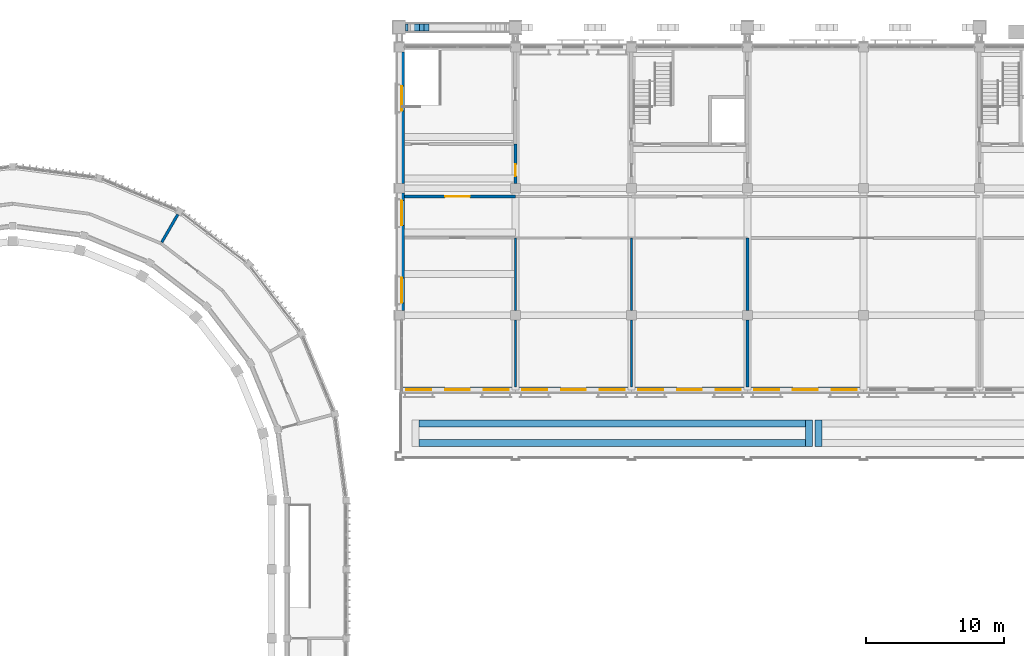
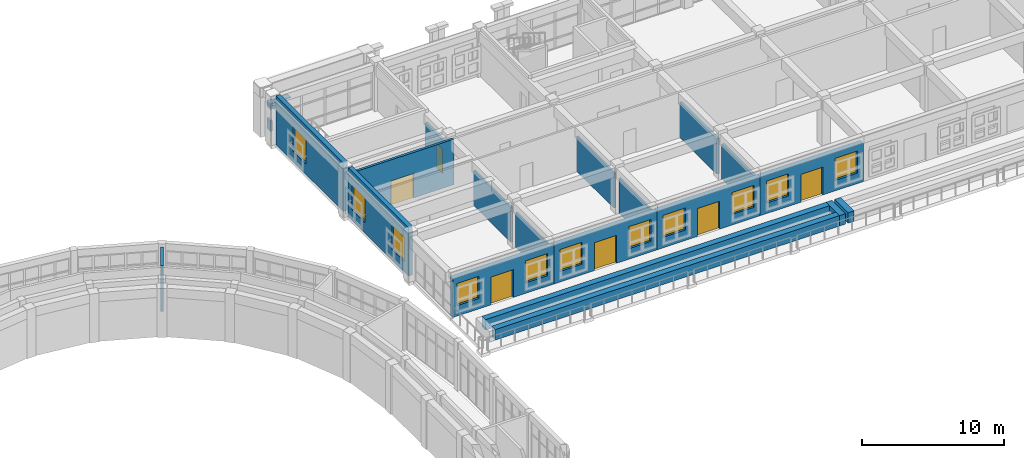
# One storey, part 63 of 99: 23 walls, 11 windows, 6 doors, 17 openings.
"""IFC4 building model written with IfcOpenShell, lengths in metres."""

from ifc_helpers import new_model, si_unit, direction, frame, frame_2d, origin, place, context, subcontext, project, spatial, rectangle, extrude, material, layer, layer_set, type_object, element, fill, save


model = new_model("IFC4")

# Units and contexts
model_context = context("Model", 3, precision=1e-05, world=origin(), true_north=direction((0.0, 1.0)))
body_context = subcontext(model_context, "Body", "Model", "MODEL_VIEW")
ifc_project = project(units=[si_unit("LENGTHUNIT", "METRE"), si_unit("AREAUNIT", "SQUARE_METRE"), si_unit("VOLUMEUNIT", "CUBIC_METRE"), si_unit("PLANEANGLEUNIT", "RADIAN"), si_unit("MASSUNIT", "GRAM", prefix="KILO")], contexts=[model_context])

# Site, building, storey
site_placement = place(None, origin())
site = spatial("IfcSite", under=ifc_project, at=site_placement, CompositionType="ELEMENT")
building_placement = place(site_placement, origin())
building = spatial("IfcBuilding", under=site, at=building_placement, Name="Wasatch Bagh Community Centre", CompositionType="ELEMENT")
storey_placement = place(building_placement, frame((0.0, 0.0, 4.199951171875)))
storey = spatial("IfcBuildingStorey", under=building, at=storey_placement, Name="L01", CompositionType="ELEMENT", Elevation=4.199951171875)

# Walls
ifc_material_1 = material(Name="Gypsum board partition on steel studs", Category="steel")
ifc_layer_1 = layer(ifc_material_1, 0.199951171875)
ifc_layer_set_1 = layer_set([ifc_layer_1], Name="Gypsum board partition on steel studs")
wall_type_1 = type_object("IfcWallType", Name="Drum partition 200", PredefinedType="PARTITIONING", material=ifc_layer_set_1)
wall_1_placement = place(storey_placement, frame((46.7880859375, 83.685302734375, 0.0), z_axis=(0.0, 0.0, 1.0), x_axis=(0.499946767237, 0.866056135553, 0.0)))
element("IfcWall", 1, at=wall_1_placement, inside=storey, type_object=wall_type_1, Name="Partition 22", PredefinedType="PARTITIONING", context=body_context, shape_type="SweptSolid", body=[
    extrude(rectangle(XDim=2.323974609375, YDim=0.199951171875, at=frame_2d((1.162109375, 0.0))), origin(), (0.0, 0.0, 1.0), 3.949951171875),
])
ifc_material_2 = material(Name="Double stud acoustic partition", Category="Gypsum")
ifc_layer_2 = layer(ifc_material_2, 0.215087890625)
ifc_layer_set_2 = layer_set([ifc_layer_2], Name="Double stud acoustic partition")
wall_type_2 = type_object("IfcWallType", Name="LW acoustic partition 215", PredefinedType="PARTITIONING", material=ifc_layer_set_2)
wall_2_placement = place(storey_placement, frame((89.199951171875, 73.199951171875, 0.0), z_axis=(0.0, 0.0, 1.0), x_axis=(0.0, 1.0, 0.0)))
element("IfcWall", 2, at=wall_2_placement, inside=storey, type_object=wall_type_2, Name="LW.part.L01.017", PredefinedType="PARTITIONING", context=body_context, shape_type="SweptSolid", body=[
    extrude(rectangle(XDim=4.85009765625, YDim=0.215087890625, at=frame_2d((2.425048828125, 0.0))), origin(), (0.0, 0.0, 1.0), 3.02001953125),
])
wall_3_placement = place(storey_placement, frame((89.199951171875, 78.75, 0.0), z_axis=(0.0, 0.0, 1.0), x_axis=(0.0, 1.0, 0.0)))
element("IfcWall", 3, at=wall_3_placement, inside=storey, type_object=wall_type_2, Name="LW.part.L01.018", PredefinedType="PARTITIONING", context=body_context, shape_type="SweptSolid", body=[
    extrude(rectangle(XDim=5.25, YDim=0.215087890625, at=frame_2d((2.625, 0.0))), origin(), (0.0, 0.0, 1.0), 3.02001953125),
])

# Wall, openings, windows
ifc_material_3 = material(Name="Concrete C40", Category="concrete")
ifc_layer_3 = layer(ifc_material_3, 0.35009765625)
ifc_layer_set_3 = layer_set([ifc_layer_3], Name="Concrete C40")
wall_type_3 = type_object("IfcWallType", Name="LW end shear wall 350", PredefinedType="SHEAR", material=ifc_layer_set_3)
wall_4_placement = place(storey_placement, frame((64.175048828125, 78.75, 0.0), z_axis=(0.0, 0.0, 1.0), x_axis=(0.0, 1.0, 0.0)))
wall_4 = element("IfcWall", 4, at=wall_4_placement, inside=storey, type_object=wall_type_3, Name="LW.swall.L01.14", PredefinedType="SHEAR", context=body_context, shape_type="SweptSolid", body=[
    extrude(rectangle(XDim=8.5, YDim=0.35009765625, at=frame_2d((4.25, 0.0))), origin(), (0.0, 0.0, 1.0), 4.199951171875),
])
opening_1_placement = place(wall_4_placement, frame((0.550048828125, 0.0, 0.89990234375)))
opening_1 = element("IfcOpeningElement", 5, at=opening_1_placement, cuts=wall_4, Name="Opening 1L-W025", PredefinedType="OPENING", context=body_context, shape_type="SweptSolid", body=[
    extrude(rectangle(XDim=1.800048828125, YDim=2.10009765625, at=frame_2d((0.89990234375, 1.050048828125))), frame((0.0, 0.18505859375, 0.0), z_axis=(0.0, -1.0, 0.0), x_axis=(1.0, 0.0, 0.0)), (0.0, 0.0, 1.0), 0.3701171875),
])
opening_2_placement = place(wall_4_placement, frame((6.14990234375, 0.0, 0.89990234375)))
opening_2 = element("IfcOpeningElement", 6, at=opening_2_placement, cuts=wall_4, Name="Opening 1L-W026", PredefinedType="OPENING", context=body_context, shape_type="SweptSolid", body=[
    extrude(rectangle(XDim=1.800048828125, YDim=2.10009765625, at=frame_2d((0.89990234375, 1.050048828125))), frame((0.0, 0.18505859375, 0.0), z_axis=(0.0, -1.0, 0.0), x_axis=(1.0, 0.0, 0.0)), (0.0, 0.0, 1.0), 0.3701171875),
])
ifc_material_4 = material(Name="Aluminium framed double glazing", Category="aluminium")
window_type_1 = type_object("IfcWindowType", Name="LW window 1800x2100", PartitioningType="SINGLE_PANEL", PredefinedType="WINDOW", material=ifc_material_4)
window_1_placement = place(opening_1_placement, origin())
window_1 = element("IfcWindow", 7, at=window_1_placement, inside=storey, type_object=window_type_1, Name="Window 1L-W025", OverallHeight=2.10009765625, OverallWidth=1.800048828125, PartitioningType="SINGLE_PANEL", PredefinedType="WINDOW", context=body_context, shape_type="SweptSolid", body=[
    extrude(rectangle(XDim=1.800048828125, YDim=2.10009765625, at=frame_2d((0.89990234375, 1.050048828125))), frame((0.0, 0.030029296875, 0.0), z_axis=(0.0, -1.0, 0.0), x_axis=(1.0, 0.0, 0.0)), (0.0, 0.0, 1.0), 0.06005859375),
])
fill(opening_1, window_1)
window_2_placement = place(opening_2_placement, origin())
window_2 = element("IfcWindow", 8, at=window_2_placement, inside=storey, type_object=window_type_1, Name="Window 1L-W026", OverallHeight=2.10009765625, OverallWidth=1.800048828125, PartitioningType="SINGLE_PANEL", PredefinedType="WINDOW", context=body_context, shape_type="SweptSolid", body=[
    extrude(rectangle(XDim=1.800048828125, YDim=2.10009765625, at=frame_2d((0.89990234375, 1.050048828125))), frame((0.0, 0.030029296875, 0.0), z_axis=(0.0, -1.0, 0.0), x_axis=(1.0, 0.0, 0.0)), (0.0, 0.0, 1.0), 0.06005859375),
])
fill(opening_2, window_2)

# Wall, opening, window
wall_5_placement = place(storey_placement, frame((64.175048828125, 87.949951171875, 0.0), z_axis=(0.0, 0.0, 1.0), x_axis=(0.0, 1.0, 0.0)))
wall_5 = element("IfcWall", 9, at=wall_5_placement, inside=storey, type_object=wall_type_3, Name="LW.swall.L01.15", PredefinedType="SHEAR", context=body_context, shape_type="SweptSolid", body=[
    extrude(rectangle(XDim=9.5, YDim=0.35009765625, at=frame_2d((4.75, 0.0))), origin(), (0.0, 0.0, 1.0), 4.199951171875),
])
opening_3_placement = place(wall_5_placement, frame((5.25, 0.0, 0.89990234375)))
opening_3 = element("IfcOpeningElement", 10, at=opening_3_placement, cuts=wall_5, Name="Opening 1L-W027", PredefinedType="OPENING", context=body_context, shape_type="SweptSolid", body=[
    extrude(rectangle(XDim=1.800048828125, YDim=2.10009765625, at=frame_2d((0.89990234375, 1.050048828125))), frame((0.0, 0.18505859375, 0.0), z_axis=(0.0, -1.0, 0.0), x_axis=(1.0, 0.0, 0.0)), (0.0, 0.0, 1.0), 0.3701171875),
])
window_3_placement = place(opening_3_placement, origin())
window_3 = element("IfcWindow", 11, at=window_3_placement, inside=storey, type_object=window_type_1, Name="Window 1L-W027", OverallHeight=2.10009765625, OverallWidth=1.800048828125, PartitioningType="SINGLE_PANEL", PredefinedType="WINDOW", context=body_context, shape_type="SweptSolid", body=[
    extrude(rectangle(XDim=1.800048828125, YDim=2.10009765625, at=frame_2d((0.89990234375, 1.050048828125))), frame((0.0, 0.030029296875, 0.0), z_axis=(0.0, -1.0, 0.0), x_axis=(1.0, 0.0, 0.0)), (0.0, 0.0, 1.0), 0.06005859375),
])
fill(opening_3, window_3)

# Wall, openings, door, windows
ifc_material_5 = material(Name="Concrete C35", Category="concrete")
ifc_layer_4 = layer(ifc_material_5, 0.39990234375)
ifc_layer_set_4 = layer_set([ifc_layer_4], Name="Concrete C35")
wall_type_4 = type_object("IfcWallType", Name="LW facade wall 400", PredefinedType="SOLIDWALL", material=ifc_layer_set_4)
wall_6_placement = place(storey_placement, frame((64.18505859375, 73.0, 0.0), z_axis=(0.0, 0.0, 1.0), x_axis=(1.0, 0.0, 0.0)))
wall_6 = element("IfcWall", 12, at=wall_6_placement, inside=storey, type_object=wall_type_4, Name="Facade wall", PredefinedType="SOLIDWALL", context=body_context, shape_type="SweptSolid", body=[
    extrude(rectangle(XDim=8.21484375, YDim=0.39990234375, at=frame_2d((4.107421875, 0.0))), origin(), (0.0, 0.0, 1.0), 3.320068359375),
])
opening_4_placement = place(wall_6_placement, frame((3.114990234375, 0.0, 0.0)))
opening_4 = element("IfcOpeningElement", 13, at=opening_4_placement, cuts=wall_6, Name="Opening 1L-01", PredefinedType="OPENING", context=body_context, shape_type="SweptSolid", body=[
    extrude(rectangle(XDim=1.800048828125, YDim=2.39990234375, at=frame_2d((0.89990234375, 1.199951171875))), frame((0.0, 0.2099609375, 0.0), z_axis=(0.0, -1.0, 0.0), x_axis=(1.0, 0.0, 0.0)), (0.0, 0.0, 1.0), 0.419921875),
])
opening_5_placement = place(wall_6_placement, frame((0.31494140625, 0.0, 0.89990234375)))
opening_5 = element("IfcOpeningElement", 14, at=opening_5_placement, cuts=wall_6, Name="Opening 1L-W001", PredefinedType="OPENING", context=body_context, shape_type="SweptSolid", body=[
    extrude(rectangle(XDim=1.800048828125, YDim=1.89990234375, at=frame_2d((0.89990234375, 0.949951171875))), frame((0.0, 0.2099609375, 0.0), z_axis=(0.0, -1.0, 0.0), x_axis=(1.0, 0.0, 0.0)), (0.0, 0.0, 1.0), 0.419921875),
])
opening_6_placement = place(wall_6_placement, frame((5.9150390625, 0.0, 0.89990234375)))
opening_6 = element("IfcOpeningElement", 15, at=opening_6_placement, cuts=wall_6, Name="Opening 1L-W002", PredefinedType="OPENING", context=body_context, shape_type="SweptSolid", body=[
    extrude(rectangle(XDim=1.800048828125, YDim=1.89990234375, at=frame_2d((0.89990234375, 0.949951171875))), frame((0.0, 0.2099609375, 0.0), z_axis=(0.0, -1.0, 0.0), x_axis=(1.0, 0.0, 0.0)), (0.0, 0.0, 1.0), 0.419921875),
])
ifc_material_6 = material(Name="Aluminium framed glazed door", Category="aluminium")
door_type_1 = type_object("IfcDoorType", Name="LW terrace door pair 1800x2400", OperationType="DOUBLE_DOOR_SINGLE_SWING", PredefinedType="DOOR", material=ifc_material_6)
door_1_placement = place(opening_4_placement, origin())
door_1 = element("IfcDoor", 16, at=door_1_placement, inside=storey, type_object=door_type_1, Name="Terrace door 1L-01", OperationType="DOUBLE_DOOR_SINGLE_SWING", OverallHeight=2.39990234375, OverallWidth=1.800048828125, PredefinedType="DOOR", context=body_context, shape_type="SweptSolid", body=[
    extrude(rectangle(XDim=1.800048828125, YDim=2.39990234375, at=frame_2d((0.89990234375, 1.199951171875))), frame((0.0, 0.02490234375, 0.0), z_axis=(0.0, -1.0, 0.0), x_axis=(1.0, 0.0, 0.0)), (0.0, 0.0, 1.0), 0.050048828125),
])
fill(opening_4, door_1)
window_type_2 = type_object("IfcWindowType", Name="LW window 1800x1900", PartitioningType="SINGLE_PANEL", PredefinedType="WINDOW", material=ifc_material_4)
window_4_placement = place(opening_5_placement, origin())
window_4 = element("IfcWindow", 17, at=window_4_placement, inside=storey, type_object=window_type_2, Name="Window 1L-W001", OverallHeight=1.89990234375, OverallWidth=1.800048828125, PartitioningType="SINGLE_PANEL", PredefinedType="WINDOW", context=body_context, shape_type="SweptSolid", body=[
    extrude(rectangle(XDim=1.800048828125, YDim=1.89990234375, at=frame_2d((0.89990234375, 0.949951171875))), frame((0.0, 0.030029296875, 0.0), z_axis=(0.0, -1.0, 0.0), x_axis=(1.0, 0.0, 0.0)), (0.0, 0.0, 1.0), 0.06005859375),
])
fill(opening_5, window_4)
window_5_placement = place(opening_6_placement, origin())
window_5 = element("IfcWindow", 18, at=window_5_placement, inside=storey, type_object=window_type_2, Name="Window 1L-W002", OverallHeight=1.89990234375, OverallWidth=1.800048828125, PartitioningType="SINGLE_PANEL", PredefinedType="WINDOW", context=body_context, shape_type="SweptSolid", body=[
    extrude(rectangle(XDim=1.800048828125, YDim=1.89990234375, at=frame_2d((0.89990234375, 0.949951171875))), frame((0.0, 0.030029296875, 0.0), z_axis=(0.0, -1.0, 0.0), x_axis=(1.0, 0.0, 0.0)), (0.0, 0.0, 1.0), 0.06005859375),
])
fill(opening_6, window_5)

wall_7_placement = place(storey_placement, frame((72.39990234375, 73.0, 0.0), z_axis=(0.0, 0.0, 1.0), x_axis=(1.0, 0.0, 0.0)))
wall_7 = element("IfcWall", 19, at=wall_7_placement, inside=storey, type_object=wall_type_4, Name="Facade wall", PredefinedType="SOLIDWALL", context=body_context, shape_type="SweptSolid", body=[
    extrude(rectangle(XDim=8.400146484375, YDim=0.39990234375, at=frame_2d((4.2001953125, 0.0))), origin(), (0.0, 0.0, 1.0), 3.320068359375),
])
opening_7_placement = place(wall_7_placement, frame((3.300048828125, 0.0, 0.0)))
opening_7 = element("IfcOpeningElement", 20, at=opening_7_placement, cuts=wall_7, Name="Opening 1L-02", PredefinedType="OPENING", context=body_context, shape_type="SweptSolid", body=[
    extrude(rectangle(XDim=1.800048828125, YDim=2.39990234375, at=frame_2d((0.89990234375, 1.199951171875))), frame((0.0, 0.2099609375, 0.0), z_axis=(0.0, -1.0, 0.0), x_axis=(1.0, 0.0, 0.0)), (0.0, 0.0, 1.0), 0.419921875),
])
opening_8_placement = place(wall_7_placement, frame((0.5, 0.0, 0.89990234375)))
opening_8 = element("IfcOpeningElement", 21, at=opening_8_placement, cuts=wall_7, Name="Opening 1L-W003", PredefinedType="OPENING", context=body_context, shape_type="SweptSolid", body=[
    extrude(rectangle(XDim=1.800048828125, YDim=1.89990234375, at=frame_2d((0.89990234375, 0.949951171875))), frame((0.0, 0.2099609375, 0.0), z_axis=(0.0, -1.0, 0.0), x_axis=(1.0, 0.0, 0.0)), (0.0, 0.0, 1.0), 0.419921875),
])
opening_9_placement = place(wall_7_placement, frame((6.10009765625, 0.0, 0.89990234375)))
opening_9 = element("IfcOpeningElement", 22, at=opening_9_placement, cuts=wall_7, Name="Opening 1L-W004", PredefinedType="OPENING", context=body_context, shape_type="SweptSolid", body=[
    extrude(rectangle(XDim=1.800048828125, YDim=1.89990234375, at=frame_2d((0.89990234375, 0.949951171875))), frame((0.0, 0.2099609375, 0.0), z_axis=(0.0, -1.0, 0.0), x_axis=(1.0, 0.0, 0.0)), (0.0, 0.0, 1.0), 0.419921875),
])
door_2_placement = place(opening_7_placement, origin())
door_2 = element("IfcDoor", 23, at=door_2_placement, inside=storey, type_object=door_type_1, Name="Terrace door 1L-02", OperationType="DOUBLE_DOOR_SINGLE_SWING", OverallHeight=2.39990234375, OverallWidth=1.800048828125, PredefinedType="DOOR", context=body_context, shape_type="SweptSolid", body=[
    extrude(rectangle(XDim=1.800048828125, YDim=2.39990234375, at=frame_2d((0.89990234375, 1.199951171875))), frame((0.0, 0.02490234375, 0.0), z_axis=(0.0, -1.0, 0.0), x_axis=(1.0, 0.0, 0.0)), (0.0, 0.0, 1.0), 0.050048828125),
])
fill(opening_7, door_2)
window_6_placement = place(opening_8_placement, origin())
window_6 = element("IfcWindow", 24, at=window_6_placement, inside=storey, type_object=window_type_2, Name="Window 1L-W003", OverallHeight=1.89990234375, OverallWidth=1.800048828125, PartitioningType="SINGLE_PANEL", PredefinedType="WINDOW", context=body_context, shape_type="SweptSolid", body=[
    extrude(rectangle(XDim=1.800048828125, YDim=1.89990234375, at=frame_2d((0.89990234375, 0.949951171875))), frame((0.0, 0.030029296875, 0.0), z_axis=(0.0, -1.0, 0.0), x_axis=(1.0, 0.0, 0.0)), (0.0, 0.0, 1.0), 0.06005859375),
])
fill(opening_8, window_6)
window_7_placement = place(opening_9_placement, origin())
window_7 = element("IfcWindow", 25, at=window_7_placement, inside=storey, type_object=window_type_2, Name="Window 1L-W004", OverallHeight=1.89990234375, OverallWidth=1.800048828125, PartitioningType="SINGLE_PANEL", PredefinedType="WINDOW", context=body_context, shape_type="SweptSolid", body=[
    extrude(rectangle(XDim=1.800048828125, YDim=1.89990234375, at=frame_2d((0.89990234375, 0.949951171875))), frame((0.0, 0.030029296875, 0.0), z_axis=(0.0, -1.0, 0.0), x_axis=(1.0, 0.0, 0.0)), (0.0, 0.0, 1.0), 0.06005859375),
])
fill(opening_9, window_7)

wall_8_placement = place(storey_placement, frame((80.800048828125, 73.0, 0.0), z_axis=(0.0, 0.0, 1.0), x_axis=(1.0, 0.0, 0.0)))
wall_8 = element("IfcWall", 26, at=wall_8_placement, inside=storey, type_object=wall_type_4, Name="Facade wall", PredefinedType="SOLIDWALL", context=body_context, shape_type="SweptSolid", body=[
    extrude(rectangle(XDim=8.39990234375, YDim=0.39990234375, at=frame_2d((4.199951171875, 0.0))), origin(), (0.0, 0.0, 1.0), 3.320068359375),
])
opening_10_placement = place(wall_8_placement, frame((3.300048828125, 0.0, 0.0)))
opening_10 = element("IfcOpeningElement", 27, at=opening_10_placement, cuts=wall_8, Name="Opening 1L-03", PredefinedType="OPENING", context=body_context, shape_type="SweptSolid", body=[
    extrude(rectangle(XDim=1.800048828125, YDim=2.39990234375, at=frame_2d((0.89990234375, 1.199951171875))), frame((0.0, 0.2099609375, 0.0), z_axis=(0.0, -1.0, 0.0), x_axis=(1.0, 0.0, 0.0)), (0.0, 0.0, 1.0), 0.419921875),
])
opening_11_placement = place(wall_8_placement, frame((0.5, 0.0, 0.89990234375)))
opening_11 = element("IfcOpeningElement", 28, at=opening_11_placement, cuts=wall_8, Name="Opening 1L-W005", PredefinedType="OPENING", context=body_context, shape_type="SweptSolid", body=[
    extrude(rectangle(XDim=1.800048828125, YDim=1.89990234375, at=frame_2d((0.89990234375, 0.949951171875))), frame((0.0, 0.2099609375, 0.0), z_axis=(0.0, -1.0, 0.0), x_axis=(1.0, 0.0, 0.0)), (0.0, 0.0, 1.0), 0.419921875),
])
opening_12_placement = place(wall_8_placement, frame((6.10009765625, 0.0, 0.89990234375)))
opening_12 = element("IfcOpeningElement", 29, at=opening_12_placement, cuts=wall_8, Name="Opening 1L-W006", PredefinedType="OPENING", context=body_context, shape_type="SweptSolid", body=[
    extrude(rectangle(XDim=1.800048828125, YDim=1.89990234375, at=frame_2d((0.89990234375, 0.949951171875))), frame((0.0, 0.2099609375, 0.0), z_axis=(0.0, -1.0, 0.0), x_axis=(1.0, 0.0, 0.0)), (0.0, 0.0, 1.0), 0.419921875),
])
door_3_placement = place(opening_10_placement, origin())
door_3 = element("IfcDoor", 30, at=door_3_placement, inside=storey, type_object=door_type_1, Name="Terrace door 1L-03", OperationType="DOUBLE_DOOR_SINGLE_SWING", OverallHeight=2.39990234375, OverallWidth=1.800048828125, PredefinedType="DOOR", context=body_context, shape_type="SweptSolid", body=[
    extrude(rectangle(XDim=1.800048828125, YDim=2.39990234375, at=frame_2d((0.89990234375, 1.199951171875))), frame((0.0, 0.02490234375, 0.0), z_axis=(0.0, -1.0, 0.0), x_axis=(1.0, 0.0, 0.0)), (0.0, 0.0, 1.0), 0.050048828125),
])
fill(opening_10, door_3)
window_8_placement = place(opening_11_placement, origin())
window_8 = element("IfcWindow", 31, at=window_8_placement, inside=storey, type_object=window_type_2, Name="Window 1L-W005", OverallHeight=1.89990234375, OverallWidth=1.800048828125, PartitioningType="SINGLE_PANEL", PredefinedType="WINDOW", context=body_context, shape_type="SweptSolid", body=[
    extrude(rectangle(XDim=1.800048828125, YDim=1.89990234375, at=frame_2d((0.89990234375, 0.949951171875))), frame((0.0, 0.030029296875, 0.0), z_axis=(0.0, -1.0, 0.0), x_axis=(1.0, 0.0, 0.0)), (0.0, 0.0, 1.0), 0.06005859375),
])
fill(opening_11, window_8)
window_9_placement = place(opening_12_placement, origin())
window_9 = element("IfcWindow", 32, at=window_9_placement, inside=storey, type_object=window_type_2, Name="Window 1L-W006", OverallHeight=1.89990234375, OverallWidth=1.800048828125, PartitioningType="SINGLE_PANEL", PredefinedType="WINDOW", context=body_context, shape_type="SweptSolid", body=[
    extrude(rectangle(XDim=1.800048828125, YDim=1.89990234375, at=frame_2d((0.89990234375, 0.949951171875))), frame((0.0, 0.030029296875, 0.0), z_axis=(0.0, -1.0, 0.0), x_axis=(1.0, 0.0, 0.0)), (0.0, 0.0, 1.0), 0.06005859375),
])
fill(opening_12, window_9)

wall_9_placement = place(storey_placement, frame((89.199951171875, 73.0, 0.0), z_axis=(0.0, 0.0, 1.0), x_axis=(1.0, 0.0, 0.0)))
wall_9 = element("IfcWall", 33, at=wall_9_placement, inside=storey, type_object=wall_type_4, Name="Facade wall", PredefinedType="SOLIDWALL", context=body_context, shape_type="SweptSolid", body=[
    extrude(rectangle(XDim=8.400146484375, YDim=0.39990234375, at=frame_2d((4.2001953125, 0.0))), origin(), (0.0, 0.0, 1.0), 3.320068359375),
])
opening_13_placement = place(wall_9_placement, frame((3.300048828125, 0.0, 0.0)))
opening_13 = element("IfcOpeningElement", 34, at=opening_13_placement, cuts=wall_9, Name="Opening 1L-04", PredefinedType="OPENING", context=body_context, shape_type="SweptSolid", body=[
    extrude(rectangle(XDim=1.800048828125, YDim=2.39990234375, at=frame_2d((0.89990234375, 1.199951171875))), frame((0.0, 0.2099609375, 0.0), z_axis=(0.0, -1.0, 0.0), x_axis=(1.0, 0.0, 0.0)), (0.0, 0.0, 1.0), 0.419921875),
])
opening_14_placement = place(wall_9_placement, frame((0.5, 0.0, 0.89990234375)))
opening_14 = element("IfcOpeningElement", 35, at=opening_14_placement, cuts=wall_9, Name="Opening 1L-W007", PredefinedType="OPENING", context=body_context, shape_type="SweptSolid", body=[
    extrude(rectangle(XDim=1.800048828125, YDim=1.89990234375, at=frame_2d((0.89990234375, 0.949951171875))), frame((0.0, 0.2099609375, 0.0), z_axis=(0.0, -1.0, 0.0), x_axis=(1.0, 0.0, 0.0)), (0.0, 0.0, 1.0), 0.419921875),
])
opening_15_placement = place(wall_9_placement, frame((6.10009765625, 0.0, 0.89990234375)))
opening_15 = element("IfcOpeningElement", 36, at=opening_15_placement, cuts=wall_9, Name="Opening 1L-W008", PredefinedType="OPENING", context=body_context, shape_type="SweptSolid", body=[
    extrude(rectangle(XDim=1.800048828125, YDim=1.89990234375, at=frame_2d((0.89990234375, 0.949951171875))), frame((0.0, 0.2099609375, 0.0), z_axis=(0.0, -1.0, 0.0), x_axis=(1.0, 0.0, 0.0)), (0.0, 0.0, 1.0), 0.419921875),
])
door_4_placement = place(opening_13_placement, origin())
door_4 = element("IfcDoor", 37, at=door_4_placement, inside=storey, type_object=door_type_1, Name="Terrace door 1L-04", OperationType="DOUBLE_DOOR_SINGLE_SWING", OverallHeight=2.39990234375, OverallWidth=1.800048828125, PredefinedType="DOOR", context=body_context, shape_type="SweptSolid", body=[
    extrude(rectangle(XDim=1.800048828125, YDim=2.39990234375, at=frame_2d((0.89990234375, 1.199951171875))), frame((0.0, 0.02490234375, 0.0), z_axis=(0.0, -1.0, 0.0), x_axis=(1.0, 0.0, 0.0)), (0.0, 0.0, 1.0), 0.050048828125),
])
fill(opening_13, door_4)
window_10_placement = place(opening_14_placement, origin())
window_10 = element("IfcWindow", 38, at=window_10_placement, inside=storey, type_object=window_type_2, Name="Window 1L-W007", OverallHeight=1.89990234375, OverallWidth=1.800048828125, PartitioningType="SINGLE_PANEL", PredefinedType="WINDOW", context=body_context, shape_type="SweptSolid", body=[
    extrude(rectangle(XDim=1.800048828125, YDim=1.89990234375, at=frame_2d((0.89990234375, 0.949951171875))), frame((0.0, 0.030029296875, 0.0), z_axis=(0.0, -1.0, 0.0), x_axis=(1.0, 0.0, 0.0)), (0.0, 0.0, 1.0), 0.06005859375),
])
fill(opening_14, window_10)
window_11_placement = place(opening_15_placement, origin())
window_11 = element("IfcWindow", 39, at=window_11_placement, inside=storey, type_object=window_type_2, Name="Window 1L-W008", OverallHeight=1.89990234375, OverallWidth=1.800048828125, PartitioningType="SINGLE_PANEL", PredefinedType="WINDOW", context=body_context, shape_type="SweptSolid", body=[
    extrude(rectangle(XDim=1.800048828125, YDim=1.89990234375, at=frame_2d((0.89990234375, 0.949951171875))), frame((0.0, 0.030029296875, 0.0), z_axis=(0.0, -1.0, 0.0), x_axis=(1.0, 0.0, 0.0)), (0.0, 0.0, 1.0), 0.06005859375),
])
fill(opening_15, window_11)

# Wall, opening, door
ifc_material_7 = material(Name="Blockwork fire partition", Category="masonry")
ifc_layer_5 = layer(ifc_material_7, 0.199951171875)
ifc_layer_set_5 = layer_set([ifc_layer_5], Name="Blockwork fire partition")
wall_type_5 = type_object("IfcWallType", Name="LW fire partition 200", PredefinedType="PARTITIONING", material=ifc_layer_set_5)
wall_10_placement = place(storey_placement, frame((64.35009765625, 87.0, 0.0), z_axis=(0.0, 0.0, 1.0), x_axis=(1.0, 0.0, 0.0)))
wall_10 = element("IfcWall", 40, at=wall_10_placement, inside=storey, type_object=wall_type_5, Name="LW.part.L01.004", PredefinedType="PARTITIONING", context=body_context, shape_type="SweptSolid", body=[
    extrude(rectangle(XDim=8.0498046875, YDim=0.199951171875, at=frame_2d((4.02490234375, 0.0))), origin(), (0.0, 0.0, 1.0), 3.920166015625),
])
opening_16_placement = place(wall_10_placement, frame((2.949951171875, 0.0, 0.0)))
opening_16 = element("IfcOpeningElement", 41, at=opening_16_placement, cuts=wall_10, Name="Opening 1L-32", PredefinedType="OPENING", context=body_context, shape_type="SweptSolid", body=[
    extrude(rectangle(XDim=1.800048828125, YDim=2.10009765625, at=frame_2d((0.89990234375, 1.050048828125))), frame((0.0, 0.10986328125, 0.0), z_axis=(0.0, -1.0, 0.0), x_axis=(1.0, 0.0, 0.0)), (0.0, 0.0, 1.0), 0.219970703125),
])
ifc_material_8 = material(Name="Painted timber", Category="wood")
door_type_2 = type_object("IfcDoorType", Name="LW door pair 1800x2100", OperationType="DOUBLE_DOOR_SINGLE_SWING", PredefinedType="DOOR", material=ifc_material_8)
door_5_placement = place(opening_16_placement, origin())
door_5 = element("IfcDoor", 42, at=door_5_placement, inside=storey, type_object=door_type_2, Name="Door West Stair Lobby 1L-32", OperationType="DOUBLE_DOOR_SINGLE_SWING", OverallHeight=2.10009765625, OverallWidth=1.800048828125, PredefinedType="DOOR", context=body_context, shape_type="SweptSolid", body=[
    extrude(rectangle(XDim=1.800048828125, YDim=2.10009765625, at=frame_2d((0.89990234375, 1.050048828125))), frame((0.0, 0.02490234375, 0.0), z_axis=(0.0, -1.0, 0.0), x_axis=(1.0, 0.0, 0.0)), (0.0, 0.0, 1.0), 0.050048828125),
])
fill(opening_16, door_5)

wall_11_placement = place(storey_placement, frame((72.39990234375, 87.949951171875, 0.0), z_axis=(0.0, 0.0, 1.0), x_axis=(0.0, 1.0, 0.0)))
wall_11 = element("IfcWall", 43, at=wall_11_placement, inside=storey, type_object=wall_type_5, Name="LW.part.L01.010", PredefinedType="PARTITIONING", context=body_context, shape_type="SweptSolid", body=[
    extrude(rectangle(XDim=2.85009765625, YDim=0.199951171875, at=frame_2d((1.425048828125, 0.0))), origin(), (0.0, 0.0, 1.0), 3.02001953125),
])
opening_17_placement = place(wall_11_placement, frame((0.52490234375, 0.0, 0.0)))
opening_17 = element("IfcOpeningElement", 44, at=opening_17_placement, cuts=wall_11, Name="Opening 1L-18", PredefinedType="OPENING", context=body_context, shape_type="SweptSolid", body=[
    extrude(rectangle(XDim=0.85009765625, YDim=2.10009765625, at=frame_2d((0.425048828125, 1.050048828125))), frame((0.0, 0.10986328125, 0.0), z_axis=(0.0, -1.0, 0.0), x_axis=(1.0, 0.0, 0.0)), (0.0, 0.0, 1.0), 0.219970703125),
])
door_type_3 = type_object("IfcDoorType", Name="LW office door 850x2100", OperationType="SINGLE_SWING_LEFT", PredefinedType="DOOR", material=ifc_material_8)
door_6_placement = place(opening_17_placement, origin())
door_6 = element("IfcDoor", 45, at=door_6_placement, inside=storey, type_object=door_type_3, Name="Door Teachers' Staff Room 1L-18", OperationType="SINGLE_SWING_RIGHT", OverallHeight=2.10009765625, OverallWidth=0.85009765625, PredefinedType="DOOR", context=body_context, shape_type="SweptSolid", body=[
    extrude(rectangle(XDim=0.85009765625, YDim=2.10009765625, at=frame_2d((0.425048828125, 1.050048828125))), frame((0.0, 0.02490234375, 0.0), z_axis=(0.0, -1.0, 0.0), x_axis=(1.0, 0.0, 0.0)), (0.0, 0.0, 1.0), 0.050048828125),
])
fill(opening_17, door_6)

# Walls
ifc_material_9 = material(Name="Gypsum board on steel studs", Category="steel")
ifc_layer_6 = layer(ifc_material_9, 0.14990234375)
ifc_layer_set_6 = layer_set([ifc_layer_6], Name="Gypsum board on steel studs")
wall_type_6 = type_object("IfcWallType", Name="LW partition 150", PredefinedType="PARTITIONING", material=ifc_layer_set_6)
wall_12_placement = place(storey_placement, frame((72.39990234375, 73.199951171875, 0.0), z_axis=(0.0, 0.0, 1.0), x_axis=(0.0, 1.0, 0.0)))
element("IfcWall", 46, at=wall_12_placement, inside=storey, type_object=wall_type_6, Name="LW.part.L01.011", PredefinedType="PARTITIONING", context=body_context, shape_type="SweptSolid", body=[
    extrude(rectangle(XDim=4.85009765625, YDim=0.14990234375, at=frame_2d((2.425048828125, 0.0))), origin(), (0.0, 0.0, 1.0), 3.02001953125),
])
wall_13_placement = place(storey_placement, frame((72.39990234375, 78.75, 0.0), z_axis=(0.0, 0.0, 1.0), x_axis=(0.0, 1.0, 0.0)))
element("IfcWall", 47, at=wall_13_placement, inside=storey, type_object=wall_type_6, Name="LW.part.L01.012", PredefinedType="PARTITIONING", context=body_context, shape_type="SweptSolid", body=[
    extrude(rectangle(XDim=5.25, YDim=0.14990234375, at=frame_2d((2.625, 0.0))), origin(), (0.0, 0.0, 1.0), 3.02001953125),
])
wall_14_placement = place(storey_placement, frame((80.800048828125, 73.199951171875, 0.0), z_axis=(0.0, 0.0, 1.0), x_axis=(0.0, 1.0, 0.0)))
element("IfcWall", 48, at=wall_14_placement, inside=storey, type_object=wall_type_6, Name="LW.part.L01.014", PredefinedType="PARTITIONING", context=body_context, shape_type="SweptSolid", body=[
    extrude(rectangle(XDim=4.85009765625, YDim=0.14990234375, at=frame_2d((2.425048828125, 0.0))), origin(), (0.0, 0.0, 1.0), 3.02001953125),
])
wall_15_placement = place(storey_placement, frame((80.800048828125, 78.75, 0.0), z_axis=(0.0, 0.0, 1.0), x_axis=(0.0, 1.0, 0.0)))
element("IfcWall", 49, at=wall_15_placement, inside=storey, type_object=wall_type_6, Name="LW.part.L01.015", PredefinedType="PARTITIONING", context=body_context, shape_type="SweptSolid", body=[
    extrude(rectangle(XDim=5.25, YDim=0.14990234375, at=frame_2d((2.625, 0.0))), origin(), (0.0, 0.0, 1.0), 3.02001953125),
])
ifc_layer_7 = layer(ifc_material_5, 0.5)
ifc_layer_set_7 = layer_set([ifc_layer_7], Name="Concrete C35")
wall_type_7 = type_object("IfcWallType", Name="LW planter trough wall 500", PredefinedType="SOLIDWALL", material=ifc_layer_set_7)
for number, where, z_axis, x_axis, name in (
    (50, (65.39990234375, 69.14990234375, 0.0), (0.0, 0.0, 1.0), (1.0, 0.0, 0.0), "Planter wall T1"),
    (51, (65.39990234375, 70.550048828125, 0.0), (0.0, 0.0, 1.0), (1.0, 0.0, 0.0), "Planter wall T1"),
):
    element("IfcWall", number, at=place(storey_placement, frame(where, z_axis=z_axis, x_axis=x_axis)), inside=storey, type_object=wall_type_7, Name=name, PredefinedType="SOLIDWALL", context=body_context, shape_type="SweptSolid", body=[
        extrude(rectangle(XDim=28.0, YDim=0.5, at=frame_2d((14.0, 0.0))), origin(), (0.0, 0.0, 1.0), 0.900146484375),
    ])
for number, where, z_axis, x_axis, name in (
    (52, (93.64990234375, 68.89990234375, 0.0), (0.0, 0.0, 1.0), (0.0, 1.0, 0.0), "Planter wall T1"),
    (53, (94.35009765625, 68.89990234375, 0.0), (0.0, 0.0, 1.0), (0.0, 1.0, 0.0), "Planter wall T1"),
):
    element("IfcWall", number, at=place(storey_placement, frame(where, z_axis=z_axis, x_axis=x_axis)), inside=storey, type_object=wall_type_7, Name=name, PredefinedType="SOLIDWALL", context=body_context, shape_type="SweptSolid", body=[
        extrude(rectangle(XDim=1.900146484375, YDim=0.5, at=frame_2d((0.9501953125, 0.0))), origin(), (0.0, 0.0, 1.0), 0.900146484375),
    ])
ifc_layer_8 = layer(ifc_material_3, 0.5)
ifc_layer_set_8 = layer_set([ifc_layer_8], Name="Concrete C40")
wall_type_8 = type_object("IfcWallType", Name="LW-W6", PredefinedType="STANDARD", material=ifc_layer_set_8)
wall_16_placement = place(storey_placement, frame((64.449951171875, 99.25, 0.0), z_axis=(0.0, 0.0, 1.0), x_axis=(1.0, 0.0, 0.0)))
element("IfcWall", 54, at=wall_16_placement, inside=storey, type_object=wall_type_8, Name="LW-W6 arcade arch spandrel", PredefinedType="STANDARD", context=body_context, shape_type="SweptSolid", body=[
    extrude(rectangle(XDim=0.179931640625, YDim=0.5, at=frame_2d((0.08984375, 0.0))), origin(), (0.0, 0.0, 1.0), 0.900146484375),
])
wall_17_placement = place(storey_placement, frame((64.449951171875, 99.25, 1.900146484375), z_axis=(0.0, 0.0, 1.0), x_axis=(1.0, 0.0, 0.0)))
element("IfcWall", 55, at=wall_17_placement, inside=storey, type_object=wall_type_8, Name="LW-W6 arcade arch spandrel", PredefinedType="STANDARD", context=body_context, shape_type="SweptSolid", body=[
    extrude(rectangle(XDim=1.009033203125, YDim=0.5, at=frame_2d((0.50439453125, 0.0))), origin(), (0.0, 0.0, 1.0), 0.25),
])
wall_18_placement = place(storey_placement, frame((64.449951171875, 99.25, 2.150146484375), z_axis=(0.0, 0.0, 1.0), x_axis=(1.0, 0.0, 0.0)))
element("IfcWall", 56, at=wall_18_placement, inside=storey, type_object=wall_type_8, Name="LW-W6 arcade arch spandrel", PredefinedType="STANDARD", context=body_context, shape_type="SweptSolid", body=[
    extrude(rectangle(XDim=1.324462890625, YDim=0.5, at=frame_2d((0.662109375, 0.0))), origin(), (0.0, 0.0, 1.0), 0.199951171875),
])
wall_19_placement = place(storey_placement, frame((64.449951171875, 99.25, 2.35009765625), z_axis=(0.0, 0.0, 1.0), x_axis=(1.0, 0.0, 0.0)))
element("IfcWall", 57, at=wall_19_placement, inside=storey, type_object=wall_type_8, Name="LW-W6 arcade arch spandrel", PredefinedType="STANDARD", context=body_context, shape_type="SweptSolid", body=[
    extrude(rectangle(XDim=1.6787109375, YDim=0.5, at=frame_2d((0.83935546875, 0.0))), origin(), (0.0, 0.0, 1.0), 0.050048828125),
])

save(model, "model.ifc")
